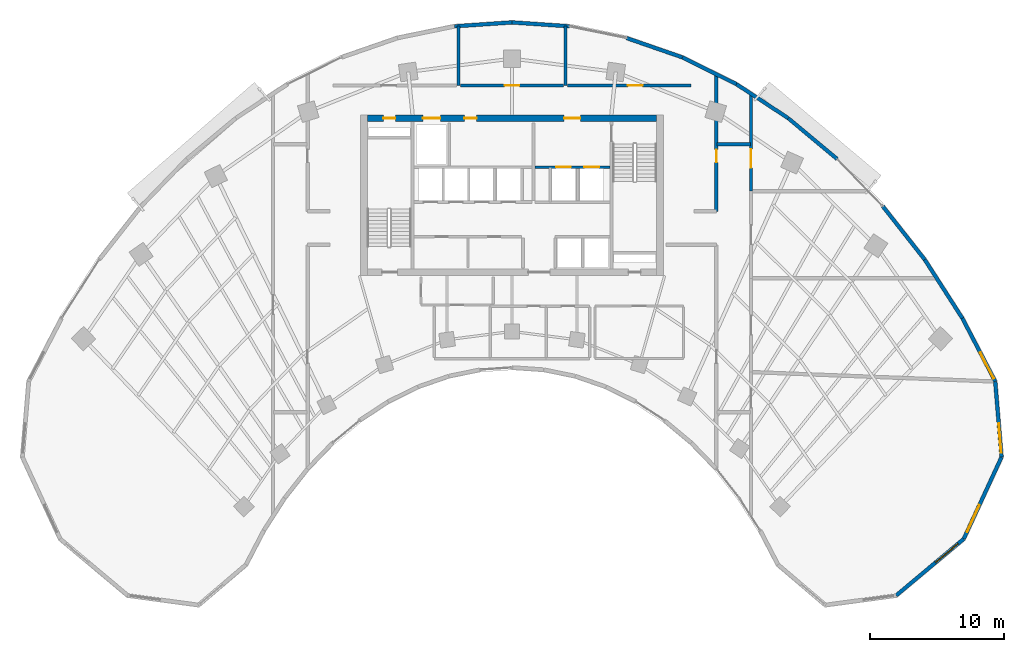
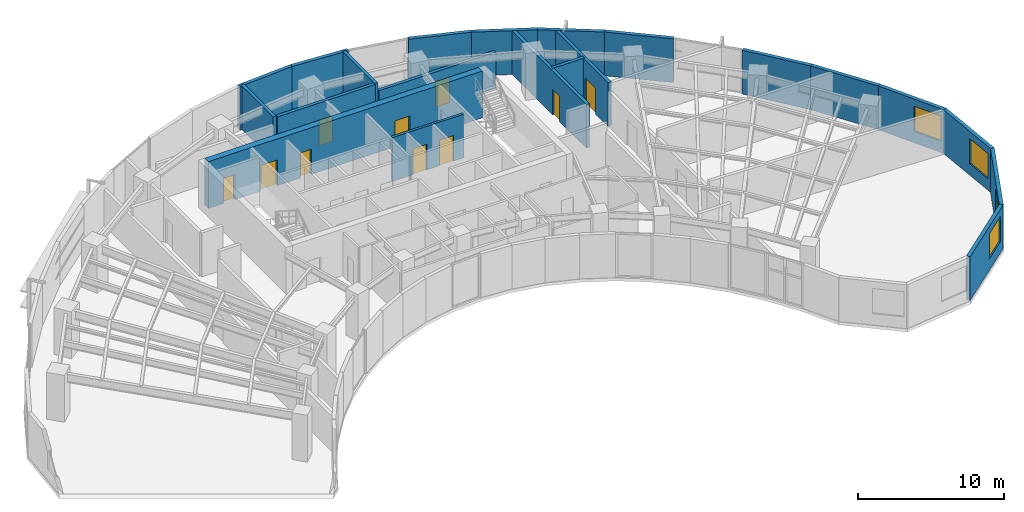
# One storey, part 11 of 14: 21 walls, 10 doors, 4 windows, 14 openings.
"""IFC4 building model written with IfcOpenShell, lengths in metres."""

from ifc_helpers import new_model, si_unit, direction, frame, frame_2d, origin, place, context, subcontext, project, spatial, rectangle, extrude, source, transform, mapped, material, layer, layer_set, type_object, type_shapes, element, fill, save


model = new_model("IFC4")

# Units and contexts
model_context = context("Model", 3, precision=1e-05, world=origin(), true_north=direction((0.0, 1.0)))
body_context = subcontext(model_context, "Body", "Model", "MODEL_VIEW")
ifc_project = project(units=[si_unit("LENGTHUNIT", "METRE"), si_unit("AREAUNIT", "SQUARE_METRE"), si_unit("VOLUMEUNIT", "CUBIC_METRE"), si_unit("PLANEANGLEUNIT", "RADIAN"), si_unit("MASSUNIT", "GRAM", prefix="KILO")], contexts=[model_context])

# Site, building, storey
site_placement = place(None, origin())
site = spatial("IfcSite", under=ifc_project, at=site_placement, CompositionType="ELEMENT")
building_placement = place(site_placement, origin())
building = spatial("IfcBuilding", under=site, at=building_placement, Name="Breltana Convention Tower", CompositionType="ELEMENT")
storey_placement = place(building_placement, frame((0.0, 0.0, 123.300048828125)))
storey = spatial("IfcBuildingStorey", under=building, at=storey_placement, Name="L29", CompositionType="ELEMENT", Elevation=123.300048828125)

# Wall, openings, doors
ifc_material_1 = material(Name="Concrete C60/75", Category="concrete")
ifc_layer_1 = layer(ifc_material_1, 0.5, Name="Concrete C60/75")
ifc_layer_set_1 = layer_set([ifc_layer_1], Name="Concrete C60/75")
wall_type_1 = type_object("IfcWallType", Name="SW-CORE-500", PredefinedType="SHEAR", material=ifc_layer_set_1)
shared_shape_1 = source(origin(), body_context, "Body", "SweptSolid", [
    extrude(rectangle(XDim=21.60009765625, YDim=0.5, at=frame_2d((10.800048828125, 0.0))), origin(), (0.0, 0.0, 1.0), 3.89990234375),
])
wall_1_placement = place(storey_placement, frame((37.199951171875, 71.949951171875, 0.0), z_axis=(0.0, 0.0, 1.0), x_axis=(1.0, 0.0, 0.0)))
wall_1 = element("IfcWall", 1, at=wall_1_placement, inside=storey, type_object=wall_type_1, Name="L29 North Core Shear Wall", PredefinedType="SHEAR", context=body_context, shape_type="MappedRepresentation", body=[
    mapped(shared_shape_1, transform((0.0, 0.0, 0.0), scale=1.0)),
])
opening_1_placement = place(wall_1_placement, frame((1.199951171875, 0.0, 0.0)))
opening_1 = element("IfcOpeningElement", 2, at=opening_1_placement, cuts=wall_1, Name="Opening D-18", PredefinedType="OPENING", context=body_context, shape_type="SweptSolid", body=[
    extrude(rectangle(XDim=0.89990234375, YDim=2.10009765625, at=frame_2d((0.449951171875, 1.050048828125))), frame((0.0, 0.260009765625, 0.0), z_axis=(0.0, -1.0, 0.0), x_axis=(1.0, 0.0, 0.0)), (0.0, 0.0, 1.0), 0.52001953125),
])
opening_2_placement = place(wall_1_placement, frame((14.699951171875, 0.0, 0.0)))
opening_2 = element("IfcOpeningElement", 3, at=opening_2_placement, cuts=wall_1, Name="Opening D-09", PredefinedType="OPENING", context=body_context, shape_type="SweptSolid", body=[
    extrude(rectangle(XDim=1.199951171875, YDim=2.14990234375, at=frame_2d((0.60009765625, 1.074951171875))), frame((0.0, 0.260009765625, 0.0), z_axis=(0.0, -1.0, 0.0), x_axis=(1.0, 0.0, 0.0)), (0.0, 0.0, 1.0), 0.52001953125),
])
opening_3_placement = place(wall_1_placement, frame((4.14990234375, 0.0, 0.0)))
opening_3 = element("IfcOpeningElement", 4, at=opening_3_placement, cuts=wall_1, Name="Opening LD-01", PredefinedType="OPENING", context=body_context, shape_type="SweptSolid", body=[
    extrude(rectangle(XDim=1.300048828125, YDim=2.14990234375, at=frame_2d((0.64990234375, 1.074951171875))), frame((0.0, 0.260009765625, 0.0), z_axis=(0.0, -1.0, 0.0), x_axis=(1.0, 0.0, 0.0)), (0.0, 0.0, 1.0), 0.52001953125),
])
opening_4_placement = place(wall_1_placement, frame((7.25, 0.0, 0.0)))
opening_4 = element("IfcOpeningElement", 5, at=opening_4_placement, cuts=wall_1, Name="Opening D-18", PredefinedType="OPENING", context=body_context, shape_type="SweptSolid", body=[
    extrude(rectangle(XDim=0.89990234375, YDim=2.10009765625, at=frame_2d((0.449951171875, 1.050048828125))), frame((0.0, 0.260009765625, 0.0), z_axis=(0.0, -1.0, 0.0), x_axis=(1.0, 0.0, 0.0)), (0.0, 0.0, 1.0), 0.52001953125),
])
ifc_material_2 = material(Name="Steel Riser Fire Door", Category="steel")
door_type_1 = type_object("IfcDoorType", Name="DR-FD60-900", OperationType="NOTDEFINED", PredefinedType="DOOR", material=ifc_material_2)
shared_shape_2 = source(origin(), body_context, "Body", "SweptSolid", [
    extrude(rectangle(XDim=0.89990234375, YDim=2.10009765625, at=frame_2d((0.449951171875, 1.050048828125))), frame((0.0, 0.02490234375, 0.0), z_axis=(0.0, -1.0, 0.0), x_axis=(1.0, 0.0, 0.0)), (0.0, 0.0, 1.0), 0.050048828125),
])
type_shapes(door_type_1, [shared_shape_2])
door_1_placement = place(opening_1_placement, origin())
door_1 = element("IfcDoor", 6, at=door_1_placement, inside=storey, type_object=door_type_1, Name="L29 Core Riser Access Door D-L29-RS1", OperationType="SINGLE_SWING_LEFT", OverallHeight=2.10009765625, OverallWidth=0.89990234375, PredefinedType="DOOR", context=body_context, shape_type="MappedRepresentation", body=[
    mapped(shared_shape_2, transform((0.0, 0.0, 0.0), scale=1.0)),
])
fill(opening_1, door_1)
door_2_placement = place(opening_4_placement, origin())
door_2 = element("IfcDoor", 7, at=door_2_placement, inside=storey, type_object=door_type_1, Name="L29 interior door D-L29-CRA1", OperationType="SINGLE_SWING_LEFT", OverallHeight=2.10009765625, OverallWidth=0.89990234375, PredefinedType="DOOR", context=body_context, shape_type="MappedRepresentation", body=[
    mapped(shared_shape_2, transform((0.0, 0.0, 0.0), scale=1.0)),
])
fill(opening_4, door_2)
ifc_material_3 = material(Name="Steel Fire Lobby Door", Category="steel")
door_type_2 = type_object("IfcDoorType", Name="DR-FD120-1200", OperationType="NOTDEFINED", PredefinedType="DOOR", material=ifc_material_3)
shared_shape_3 = source(origin(), body_context, "Body", "SweptSolid", [
    extrude(rectangle(XDim=1.199951171875, YDim=2.14990234375, at=frame_2d((0.60009765625, 1.074951171875))), frame((0.0, 0.02490234375, 0.0), z_axis=(0.0, -1.0, 0.0), x_axis=(1.0, 0.0, 0.0)), (0.0, 0.0, 1.0), 0.050048828125),
])
type_shapes(door_type_2, [shared_shape_3])
door_3_placement = place(opening_2_placement, origin())
door_3 = element("IfcDoor", 8, at=door_3_placement, inside=storey, type_object=door_type_2, Name="L29 interior door D-L29-FFL-N", OperationType="SINGLE_SWING_RIGHT", OverallHeight=2.14990234375, OverallWidth=1.199951171875, PredefinedType="DOOR", context=body_context, shape_type="MappedRepresentation", body=[
    mapped(shared_shape_3, transform((0.0, 0.0, 0.0), scale=1.0)),
])
fill(opening_2, door_3)
ifc_material_4 = material(Name="Stainless Steel Brushed", Category="steel")
door_type_3 = type_object("IfcDoorType", Name="DR-LD-SRV-1300", OperationType="DOUBLE_DOOR_SLIDING", PredefinedType="DOOR", material=ifc_material_4)
shared_shape_4 = source(origin(), body_context, "Body", "SweptSolid", [
    extrude(rectangle(XDim=1.300048828125, YDim=2.14990234375, at=frame_2d((0.64990234375, 1.074951171875))), frame((0.0, 0.02490234375, 0.0), z_axis=(0.0, -1.0, 0.0), x_axis=(1.0, 0.0, 0.0)), (0.0, 0.0, 1.0), 0.050048828125),
])
type_shapes(door_type_3, [shared_shape_4])
door_4_placement = place(opening_3_placement, origin())
door_4 = element("IfcDoor", 9, at=door_4_placement, inside=storey, type_object=door_type_3, Name="L29 Lift Landing Door D-L29-LD-SV1", OperationType="DOUBLE_DOOR_SLIDING", OverallHeight=2.14990234375, OverallWidth=1.300048828125, PredefinedType="DOOR", context=body_context, shape_type="MappedRepresentation", body=[
    mapped(shared_shape_4, transform((0.0, 0.0, 0.0), scale=1.0)),
])
fill(opening_3, door_4)

# Wall, opening, window
ifc_material_5 = material(Name="Limestone Buff Insulated Wall", Category="masonry")
ifc_layer_2 = layer(ifc_material_5, 0.280029296875, Name="Limestone Buff Insulated Wall")
ifc_layer_set_2 = layer_set([ifc_layer_2], Name="Limestone Buff Insulated Wall")
wall_type_2 = type_object("IfcWallType", Name="WL-EXT-NOSE-280", PredefinedType="SOLIDWALL", material=ifc_layer_set_2)
shared_shape_5 = source(origin(), body_context, "Body", "SweptSolid", [
    extrude(rectangle(XDim=5.673583984375, YDim=0.280029296875, at=frame_2d((2.8369140625, 0.0))), origin(), (0.0, 0.0, 1.0), 3.64990234375),
])
wall_2_placement = place(storey_placement, frame((84.07763671875, 52.305419921875, 0.0), z_axis=(0.0, 0.0, 1.0), x_axis=(0.083309007867, -0.996523762491, 0.0)))
wall_2 = element("IfcWall", 10, at=wall_2_placement, inside=storey, type_object=wall_type_2, Name="L29 curved limestone nose wall E1", PredefinedType="SOLIDWALL", context=body_context, shape_type="MappedRepresentation", body=[
    mapped(shared_shape_5, transform((0.0, 0.0, 0.0), scale=1.0)),
])
opening_5_placement = place(wall_2_placement, frame((3.155029296875, 0.0, 0.949951171875)))
opening_5 = element("IfcOpeningElement", 11, at=opening_5_placement, cuts=wall_2, Name="Opening W-03", PredefinedType="OPENING", context=body_context, shape_type="SweptSolid", body=[
    extrude(rectangle(XDim=2.199951171875, YDim=2.10009765625, at=frame_2d((1.10009765625, 1.050048828125))), frame((0.0, 0.14990234375, 0.0), z_axis=(0.0, -1.0, 0.0), x_axis=(1.0, 0.0, 0.0)), (0.0, 0.0, 1.0), 0.300048828125),
])
ifc_material_6 = material(Name="Glass Low-E Insulated Window", Category="glass")
window_type = type_object("IfcWindowType", Name="WN-NOSE-2200X2100", PartitioningType="TRIPLE_PANEL_VERTICAL", PredefinedType="WINDOW", material=ifc_material_6)
shared_shape_6 = source(origin(), body_context, "Body", "SweptSolid", [
    extrude(rectangle(XDim=2.199951171875, YDim=2.10009765625, at=frame_2d((1.10009765625, 1.050048828125))), frame((0.0, 0.030029296875, 0.0), z_axis=(0.0, -1.0, 0.0), x_axis=(1.0, 0.0, 0.0)), (0.0, 0.0, 1.0), 0.06005859375),
])
type_shapes(window_type, [shared_shape_6])
window_1_placement = place(opening_5_placement, origin())
window_1 = element("IfcWindow", 12, at=window_1_placement, inside=storey, type_object=window_type, Name="L29 nose window E1", OverallHeight=2.10009765625, OverallWidth=2.199951171875, PartitioningType="TRIPLE_PANEL_VERTICAL", PredefinedType="WINDOW", context=body_context, shape_type="MappedRepresentation", body=[
    mapped(shared_shape_6, transform((0.0, 0.0, 0.0), scale=1.0)),
])
fill(opening_5, window_1)

shared_shape_7 = source(origin(), body_context, "Body", "SweptSolid", [
    extrude(rectangle(XDim=6.731689453125, YDim=0.280029296875, at=frame_2d((3.36572265625, 0.0))), origin(), (0.0, 0.0, 1.0), 3.64990234375),
])
wall_3_placement = place(storey_placement, frame((84.55029296875, 46.651611328125, 0.0), z_axis=(0.0, 0.0, 1.0), x_axis=(-0.419644552709, -0.907688520023, 0.0)))
wall_3 = element("IfcWall", 13, at=wall_3_placement, inside=storey, type_object=wall_type_2, Name="L29 curved limestone nose wall E2", PredefinedType="SOLIDWALL", context=body_context, shape_type="MappedRepresentation", body=[
    mapped(shared_shape_7, transform((0.0, 0.0, 0.0), scale=1.0)),
])
opening_6_placement = place(wall_3_placement, frame((3.948974609375, 0.0, 0.949951171875)))
opening_6 = element("IfcOpeningElement", 14, at=opening_6_placement, cuts=wall_3, Name="Opening W-03", PredefinedType="OPENING", context=body_context, shape_type="SweptSolid", body=[
    extrude(rectangle(XDim=2.199951171875, YDim=2.10009765625, at=frame_2d((1.10009765625, 1.050048828125))), frame((0.0, 0.14990234375, 0.0), z_axis=(0.0, -1.0, 0.0), x_axis=(1.0, 0.0, 0.0)), (0.0, 0.0, 1.0), 0.300048828125),
])
window_2_placement = place(opening_6_placement, origin())
window_2 = element("IfcWindow", 15, at=window_2_placement, inside=storey, type_object=window_type, Name="L29 nose window E2", OverallHeight=2.10009765625, OverallWidth=2.199951171875, PartitioningType="TRIPLE_PANEL_VERTICAL", PredefinedType="WINDOW", context=body_context, shape_type="MappedRepresentation", body=[
    mapped(shared_shape_6, transform((0.0, 0.0, 0.0), scale=1.0)),
])
fill(opening_6, window_2)

shared_shape_8 = source(origin(), body_context, "Body", "SweptSolid", [
    extrude(rectangle(XDim=6.572998046875, YDim=0.280029296875, at=frame_2d((3.28662109375, 0.0))), origin(), (0.0, 0.0, 1.0), 3.64990234375),
])
wall_4_placement = place(storey_placement, frame((81.725341796875, 40.541259765625, 0.0), z_axis=(0.0, 0.0, 1.0), x_axis=(-0.766715154163, -0.641987439423, 0.0)))
wall_4 = element("IfcWall", 16, at=wall_4_placement, inside=storey, type_object=wall_type_2, Name="L29 curved limestone nose wall E3", PredefinedType="SOLIDWALL", context=body_context, shape_type="MappedRepresentation", body=[
    mapped(shared_shape_8, transform((0.0, 0.0, 0.0), scale=1.0)),
])
opening_7_placement = place(wall_4_placement, frame((0.543212890625, 0.0, 0.949951171875)))
opening_7 = element("IfcOpeningElement", 17, at=opening_7_placement, cuts=wall_4, Name="Opening W-03", PredefinedType="OPENING", context=body_context, shape_type="SweptSolid", body=[
    extrude(rectangle(XDim=2.199951171875, YDim=2.10009765625, at=frame_2d((1.10009765625, 1.050048828125))), frame((0.0, 0.14990234375, 0.0), z_axis=(0.0, -1.0, 0.0), x_axis=(1.0, 0.0, 0.0)), (0.0, 0.0, 1.0), 0.300048828125),
])
window_3_placement = place(opening_7_placement, origin())
window_3 = element("IfcWindow", 18, at=window_3_placement, inside=storey, type_object=window_type, Name="L29 nose window E3", OverallHeight=2.10009765625, OverallWidth=2.199951171875, PartitioningType="TRIPLE_PANEL_VERTICAL", PredefinedType="WINDOW", context=body_context, shape_type="MappedRepresentation", body=[
    mapped(shared_shape_6, transform((0.0, 0.0, 0.0), scale=1.0)),
])
fill(opening_7, window_3)

shared_shape_9 = source(origin(), body_context, "Body", "SweptSolid", [
    extrude(rectangle(XDim=5.315185546875, YDim=0.280029296875, at=frame_2d((2.65771484375, 0.0))), origin(), (0.0, 0.0, 1.0), 3.64990234375),
])
wall_5_placement = place(storey_placement, frame((81.623291015625, 57.02001953125, 0.0), z_axis=(0.0, 0.0, 1.0), x_axis=(0.461760527822, -0.887004630735, 0.0)))
wall_5 = element("IfcWall", 19, at=wall_5_placement, inside=storey, type_object=wall_type_2, Name="L29 curved limestone nose wall E34", PredefinedType="SOLIDWALL", context=body_context, shape_type="MappedRepresentation", body=[
    mapped(shared_shape_9, transform((0.0, 0.0, 0.0), scale=1.0)),
])
opening_8_placement = place(wall_5_placement, frame((2.886474609375, 0.0, 0.949951171875)))
opening_8 = element("IfcOpeningElement", 20, at=opening_8_placement, cuts=wall_5, Name="Opening W-03", PredefinedType="OPENING", context=body_context, shape_type="SweptSolid", body=[
    extrude(rectangle(XDim=2.199951171875, YDim=2.10009765625, at=frame_2d((1.10009765625, 1.050048828125))), frame((0.0, 0.14990234375, 0.0), z_axis=(0.0, -1.0, 0.0), x_axis=(1.0, 0.0, 0.0)), (0.0, 0.0, 1.0), 0.300048828125),
])
window_4_placement = place(opening_8_placement, origin())
window_4 = element("IfcWindow", 21, at=window_4_placement, inside=storey, type_object=window_type, Name="L29 nose window E34", OverallHeight=2.10009765625, OverallWidth=2.199951171875, PartitioningType="TRIPLE_PANEL_VERTICAL", PredefinedType="WINDOW", context=body_context, shape_type="MappedRepresentation", body=[
    mapped(shared_shape_6, transform((0.0, 0.0, 0.0), scale=1.0)),
])
fill(opening_8, window_4)

# Walls
shared_shape_10 = source(origin(), body_context, "Body", "SweptSolid", [
    extrude(rectangle(XDim=5.05810546875, YDim=0.280029296875, at=frame_2d((2.529052734375, 0.0))), origin(), (0.0, 0.0, 1.0), 3.64990234375),
])
wall_6_placement = place(storey_placement, frame((75.684814453125, 65.37646484375, 0.0), z_axis=(0.0, 0.0, 1.0), x_axis=(0.618145507434, -0.786063694391, 0.0)))
element("IfcWall", 22, at=wall_6_placement, inside=storey, type_object=wall_type_2, Name="L29 curved limestone nose wall E32", PredefinedType="SOLIDWALL", context=body_context, shape_type="MappedRepresentation", body=[
    mapped(shared_shape_10, transform((0.0, 0.0, 0.0), scale=1.0)),
])
shared_shape_11 = source(origin(), body_context, "Body", "SweptSolid", [
    extrude(rectangle(XDim=4.76220703125, YDim=0.280029296875, at=frame_2d((2.381103515625, 0.0))), origin(), (0.0, 0.0, 1.0), 3.64990234375),
])
wall_7_placement = place(storey_placement, frame((68.6181640625, 71.957763671875, 0.0), z_axis=(0.0, 0.0, 1.0), x_axis=(0.767952279762, -0.640507061638, 0.0)))
element("IfcWall", 23, at=wall_7_placement, inside=storey, type_object=wall_type_2, Name="L29 curved limestone nose wall E31", PredefinedType="SOLIDWALL", context=body_context, shape_type="MappedRepresentation", body=[
    mapped(shared_shape_11, transform((0.0, 0.0, 0.0), scale=1.0)),
])
shared_shape_12 = source(origin(), body_context, "Body", "SweptSolid", [
    extrude(rectangle(XDim=4.625732421875, YDim=0.280029296875, at=frame_2d((2.31298828125, 0.0))), origin(), (0.0, 0.0, 1.0), 3.64990234375),
])
wall_8_placement = place(storey_placement, frame((64.751220703125, 74.496337890625, 0.0), z_axis=(0.0, 0.0, 1.0), x_axis=(0.83595938331, -0.548791316855, 0.0)))
element("IfcWall", 24, at=wall_8_placement, inside=storey, type_object=wall_type_2, Name="L29 curved limestone nose wall E30", PredefinedType="SOLIDWALL", context=body_context, shape_type="MappedRepresentation", body=[
    mapped(shared_shape_12, transform((0.0, 0.0, 0.0), scale=1.0)),
])
shared_shape_13 = source(origin(), body_context, "Body", "SweptSolid", [
    extrude(rectangle(XDim=4.408935546875, YDim=0.280029296875, at=frame_2d((2.20458984375, 0.0))), origin(), (0.0, 0.0, 1.0), 3.64990234375),
])
wall_9_placement = place(storey_placement, frame((56.54833984375, 77.94091796875, 0.0), z_axis=(0.0, 0.0, 1.0), x_axis=(0.944879374121, -0.327418643881, 0.0)))
element("IfcWall", 25, at=wall_9_placement, inside=storey, type_object=wall_type_2, Name="L29 curved limestone nose wall E28", PredefinedType="SOLIDWALL", context=body_context, shape_type="MappedRepresentation", body=[
    mapped(shared_shape_13, transform((0.0, 0.0, 0.0), scale=1.0)),
])
shared_shape_14 = source(origin(), body_context, "Body", "SweptSolid", [
    extrude(rectangle(XDim=4.3056640625, YDim=0.280029296875, at=frame_2d((2.15283203125, 0.0))), origin(), (0.0, 0.0, 1.0), 3.64990234375),
])
for number, where, z_axis, x_axis, name in (
    (26, (43.7041015625, 78.81298828125, 0.0), (0.0, 0.0, 1.0), (0.997705679258, 0.067700646797, 0.0), "L29 curved limestone nose wall E26"),
    (27, (48.0, 79.1044921875, 0.0), (0.0, 0.0, 1.0), (0.997705679258, -0.067700646797, 0.0), "L29 curved limestone nose wall E27"),
):
    element("IfcWall", number, at=place(storey_placement, frame(where, z_axis=z_axis, x_axis=x_axis)), inside=storey, type_object=wall_type_2, Name=name, PredefinedType="SOLIDWALL", context=body_context, shape_type="MappedRepresentation", body=[
        mapped(shared_shape_14, transform((0.0, 0.0, 0.0), scale=1.0)),
    ])
shared_shape_15 = source(origin(), body_context, "Body", "SweptSolid", [
    extrude(rectangle(XDim=4.505615234375, YDim=0.280029296875, at=frame_2d((2.2529296875, 0.0))), origin(), (0.0, 0.0, 1.0), 3.64990234375),
])
wall_10_placement = place(storey_placement, frame((60.71435546875, 76.497314453125, 0.0), z_axis=(0.0, 0.0, 1.0), x_axis=(0.89597155075, -0.444111450254, 0.0)))
element("IfcWall", 28, at=wall_10_placement, inside=storey, type_object=wall_type_2, Name="L29 curved limestone nose wall E29", PredefinedType="SOLIDWALL", context=body_context, shape_type="MappedRepresentation", body=[
    mapped(shared_shape_15, transform((0.0, 0.0, 0.0), scale=1.0)),
])
shared_shape_16 = source(origin(), body_context, "Body", "SweptSolid", [
    extrude(rectangle(XDim=5.205078125, YDim=0.280029296875, at=frame_2d((2.6025390625, 0.0))), origin(), (0.0, 0.0, 1.0), 3.64990234375),
])
wall_11_placement = place(storey_placement, frame((78.8115234375, 61.400390625, 0.0), z_axis=(0.0, 0.0, 1.0), x_axis=(0.540188528895, -0.8415440293, 0.0)))
element("IfcWall", 29, at=wall_11_placement, inside=storey, type_object=wall_type_2, Name="L29 curved limestone nose wall E33", PredefinedType="SOLIDWALL", context=body_context, shape_type="MappedRepresentation", body=[
    mapped(shared_shape_16, transform((0.0, 0.0, 0.0), scale=1.0)),
])

# Wall, openings, doors
ifc_material_7 = material(Name="Autoclaved Aerated Concrete Block", Category="concrete")
ifc_layer_3 = layer(ifc_material_7, 0.199951171875, Name="Autoclaved Aerated Concrete Block")
ifc_layer_set_3 = layer_set([ifc_layer_3], Name="Autoclaved Aerated Concrete Block")
wall_type_3 = type_object("IfcWallType", Name="WL-SHAFT-200", PredefinedType="SOLIDWALL", material=ifc_layer_set_3)
shared_shape_17 = source(origin(), body_context, "Body", "SweptSolid", [
    extrude(rectangle(XDim=5.6201171875, YDim=0.199951171875, at=frame_2d((2.81005859375, 0.0))), origin(), (0.0, 0.0, 1.0), 3.64990234375),
])
wall_12_placement = place(storey_placement, frame((49.699951171875, 68.300048828125, 0.0), z_axis=(0.0, 0.0, 1.0), x_axis=(1.0, 0.0, 0.0)))
wall_12 = element("IfcWall", 30, at=wall_12_placement, inside=storey, type_object=wall_type_3, Name="L29 interior partition W-L29-FFL-S", PredefinedType="SOLIDWALL", context=body_context, shape_type="MappedRepresentation", body=[
    mapped(shared_shape_17, transform((0.0, 0.0, 0.0), scale=1.0)),
])
opening_9_placement = place(wall_12_placement, frame((1.60009765625, 0.0, 0.0)))
opening_9 = element("IfcOpeningElement", 31, at=opening_9_placement, cuts=wall_12, Name="Opening LD-03", PredefinedType="OPENING", context=body_context, shape_type="SweptSolid", body=[
    extrude(rectangle(XDim=1.10009765625, YDim=2.14990234375, at=frame_2d((0.550048828125, 1.074951171875))), frame((0.0, 0.10986328125, 0.0), z_axis=(0.0, -1.0, 0.0), x_axis=(1.0, 0.0, 0.0)), (0.0, 0.0, 1.0), 0.219970703125),
])
opening_10_placement = place(wall_12_placement, frame((3.699951171875, 0.0, 0.0)))
opening_10 = element("IfcOpeningElement", 32, at=opening_10_placement, cuts=wall_12, Name="Opening LD-03", PredefinedType="OPENING", context=body_context, shape_type="SweptSolid", body=[
    extrude(rectangle(XDim=1.10009765625, YDim=2.14990234375, at=frame_2d((0.550048828125, 1.074951171875))), frame((0.0, 0.10986328125, 0.0), z_axis=(0.0, -1.0, 0.0), x_axis=(1.0, 0.0, 0.0)), (0.0, 0.0, 1.0), 0.219970703125),
])
door_type_4 = type_object("IfcDoorType", Name="DR-LD-FF-1100", OperationType="DOUBLE_DOOR_SLIDING", PredefinedType="DOOR", material=ifc_material_4)
shared_shape_18 = source(origin(), body_context, "Body", "SweptSolid", [
    extrude(rectangle(XDim=1.10009765625, YDim=2.14990234375, at=frame_2d((0.550048828125, 1.074951171875))), frame((0.0, 0.02490234375, 0.0), z_axis=(0.0, -1.0, 0.0), x_axis=(1.0, 0.0, 0.0)), (0.0, 0.0, 1.0), 0.050048828125),
])
type_shapes(door_type_4, [shared_shape_18])
door_5_placement = place(opening_9_placement, origin())
door_5 = element("IfcDoor", 33, at=door_5_placement, inside=storey, type_object=door_type_4, Name="L29 Lift Landing Door D-L29-LD-FL1", OperationType="DOUBLE_DOOR_SLIDING", OverallHeight=2.14990234375, OverallWidth=1.10009765625, PredefinedType="DOOR", context=body_context, shape_type="MappedRepresentation", body=[
    mapped(shared_shape_18, transform((0.0, 0.0, 0.0), scale=1.0)),
])
fill(opening_9, door_5)
door_6_placement = place(opening_10_placement, origin())
door_6 = element("IfcDoor", 34, at=door_6_placement, inside=storey, type_object=door_type_4, Name="L29 Lift Landing Door D-L29-LD-FL2", OperationType="DOUBLE_DOOR_SLIDING", OverallHeight=2.14990234375, OverallWidth=1.10009765625, PredefinedType="DOOR", context=body_context, shape_type="MappedRepresentation", body=[
    mapped(shared_shape_18, transform((0.0, 0.0, 0.0), scale=1.0)),
])
fill(opening_10, door_6)

# Wall
ifc_material_8 = material(Name="Gypsum Acoustic Double Stud Wall")
ifc_layer_4 = layer(ifc_material_8, 0.25, Name="Gypsum Acoustic Double Stud Wall")
ifc_layer_set_4 = layer_set([ifc_layer_4], Name="Gypsum Acoustic Double Stud Wall")
wall_type_4 = type_object("IfcWallType", Name="WL-ACOUSTIC-250", PredefinedType="PARTITIONING", material=ifc_layer_set_4)
shared_shape_19 = source(origin(), body_context, "Body", "SweptSolid", [
    extrude(rectangle(XDim=2.5, YDim=0.25, at=frame_2d((1.25, 0.0))), origin(), (0.0, 0.0, 1.0), 3.64990234375),
])
wall_13_placement = place(storey_placement, frame((63.300048828125, 70.0, 0.0), z_axis=(0.0, 0.0, 1.0), x_axis=(1.0, 0.0, 0.0)))
element("IfcWall", 35, at=wall_13_placement, inside=storey, type_object=wall_type_4, Name="L29 interior partition W-L29-CORNE-N", PredefinedType="PARTITIONING", context=body_context, shape_type="MappedRepresentation", body=[
    mapped(shared_shape_19, transform((0.0, 0.0, 0.0), scale=1.0)),
])

# Wall, opening, door
shared_shape_20 = source(origin(), body_context, "Body", "SweptSolid", [
    extrude(rectangle(XDim=7.26953125, YDim=0.25, at=frame_2d((3.634765625, 0.0))), origin(), (0.0, 0.0, 1.0), 3.64990234375),
])
wall_14_placement = place(storey_placement, frame((65.840087890625, 66.5, 0.0), z_axis=(0.0, 0.0, 1.0), x_axis=(0.0, 1.0, 0.0)))
wall_14 = element("IfcWall", 36, at=wall_14_placement, inside=storey, type_object=wall_type_4, Name="L29 interior partition W-L29-ZE4-W", PredefinedType="PARTITIONING", context=body_context, shape_type="MappedRepresentation", body=[
    mapped(shared_shape_20, transform((0.0, 0.0, 0.0), scale=1.0)),
])
opening_11_placement = place(wall_14_placement, frame((1.75, 0.0, 0.0)))
opening_11 = element("IfcOpeningElement", 37, at=opening_11_placement, cuts=wall_14, Name="Opening D-05", PredefinedType="OPENING", context=body_context, shape_type="SweptSolid", body=[
    extrude(rectangle(XDim=1.39990234375, YDim=2.14990234375, at=frame_2d((0.699951171875, 1.074951171875))), frame((0.0, 0.135009765625, 0.0), z_axis=(0.0, -1.0, 0.0), x_axis=(1.0, 0.0, 0.0)), (0.0, 0.0, 1.0), 0.27001953125),
])
ifc_material_9 = material(Name="Timber Veneer Glazed Double Door", Category="wood")
door_type_5 = type_object("IfcDoorType", Name="DR-DBL-1400", OperationType="DOUBLE_DOOR_SINGLE_SWING", PredefinedType="DOOR", material=ifc_material_9)
shared_shape_21 = source(origin(), body_context, "Body", "SweptSolid", [
    extrude(rectangle(XDim=1.39990234375, YDim=2.14990234375, at=frame_2d((0.699951171875, 1.074951171875))), frame((0.0, 0.02490234375, 0.0), z_axis=(0.0, -1.0, 0.0), x_axis=(1.0, 0.0, 0.0)), (0.0, 0.0, 1.0), 0.050048828125),
])
type_shapes(door_type_5, [shared_shape_21])
door_7_placement = place(opening_11_placement, origin())
door_7 = element("IfcDoor", 38, at=door_7_placement, inside=storey, type_object=door_type_5, Name="L29 interior door D-L29-ZE4", OperationType="SINGLE_SWING_LEFT", OverallHeight=2.14990234375, OverallWidth=1.39990234375, PredefinedType="DOOR", context=body_context, shape_type="MappedRepresentation", body=[
    mapped(shared_shape_21, transform((0.0, 0.0, 0.0), scale=1.0)),
])
fill(opening_11, door_7)

shared_shape_22 = source(origin(), body_context, "Body", "SweptSolid", [
    extrude(rectangle(XDim=9.2001953125, YDim=0.25, at=frame_2d((4.60009765625, 0.0))), origin(), (0.0, 0.0, 1.0), 3.02197265625),
])
wall_15_placement = place(storey_placement, frame((52.14990234375, 74.39990234375, 0.0), z_axis=(0.0, 0.0, 1.0), x_axis=(1.0, 0.0, 0.0)))
wall_15 = element("IfcWall", 39, at=wall_15_placement, inside=storey, type_object=wall_type_4, Name="L29 interior partition W-L29-ZN3-S", PredefinedType="PARTITIONING", context=body_context, shape_type="MappedRepresentation", body=[
    mapped(shared_shape_22, transform((0.0, 0.0, 0.0), scale=1.0)),
])
opening_12_placement = place(wall_15_placement, frame((4.5, 0.0, 0.0)))
opening_12 = element("IfcOpeningElement", 40, at=opening_12_placement, cuts=wall_15, Name="Opening D-12", PredefinedType="OPENING", context=body_context, shape_type="SweptSolid", body=[
    extrude(rectangle(XDim=1.10009765625, YDim=2.14990234375, at=frame_2d((0.550048828125, 1.074951171875))), frame((0.0, 0.135009765625, 0.0), z_axis=(0.0, -1.0, 0.0), x_axis=(1.0, 0.0, 0.0)), (0.0, 0.0, 1.0), 0.27001953125),
])
ifc_material_10 = material(Name="Timber Oak Acoustic Door", Category="wood")
door_type_6 = type_object("IfcDoorType", Name="DR-INT-1100", OperationType="NOTDEFINED", PredefinedType="DOOR", material=ifc_material_10)
shared_shape_23 = source(origin(), body_context, "Body", "SweptSolid", [
    extrude(rectangle(XDim=1.10009765625, YDim=2.14990234375, at=frame_2d((0.550048828125, 1.074951171875))), frame((0.0, 0.02490234375, 0.0), z_axis=(0.0, -1.0, 0.0), x_axis=(1.0, 0.0, 0.0)), (0.0, 0.0, 1.0), 0.050048828125),
])
type_shapes(door_type_6, [shared_shape_23])
door_8_placement = place(opening_12_placement, origin())
door_8 = element("IfcDoor", 41, at=door_8_placement, inside=storey, type_object=door_type_6, Name="L29 interior door D-L29-ZN3", OperationType="SINGLE_SWING_RIGHT", OverallHeight=2.14990234375, OverallWidth=1.10009765625, PredefinedType="DOOR", context=body_context, shape_type="MappedRepresentation", body=[
    mapped(shared_shape_23, transform((0.0, 0.0, 0.0), scale=1.0)),
])
fill(opening_12, door_8)

# Walls
shared_shape_24 = source(origin(), body_context, "Body", "SweptSolid", [
    extrude(rectangle(XDim=4.423095703125, YDim=0.25, at=frame_2d((2.21142578125, 0.0))), origin(), (0.0, 0.0, 1.0), 3.64990234375),
])
for number, where, z_axis, x_axis, name in (
    (42, (44.0, 74.39990234375, 0.0), (0.0, 0.0, 1.0), (0.0, 1.0, 0.0), "L29 interior partition W-L29-ZN1-E"),
    (43, (52.0, 74.39990234375, 0.0), (0.0, 0.0, 1.0), (0.0, 1.0, 0.0), "L29 interior partition W-L29-ZN2-E"),
):
    element("IfcWall", number, at=place(storey_placement, frame(where, z_axis=z_axis, x_axis=x_axis)), inside=storey, type_object=wall_type_4, Name=name, PredefinedType="PARTITIONING", context=body_context, shape_type="MappedRepresentation", body=[
        mapped(shared_shape_24, transform((0.0, 0.0, 0.0), scale=1.0)),
    ])

# Wall, opening, door
shared_shape_25 = source(origin(), body_context, "Body", "SweptSolid", [
    extrude(rectangle(XDim=7.7001953125, YDim=0.25, at=frame_2d((3.85009765625, 0.0))), origin(), (0.0, 0.0, 1.0), 3.64990234375),
])
wall_16_placement = place(storey_placement, frame((44.14990234375, 74.39990234375, 0.0), z_axis=(0.0, 0.0, 1.0), x_axis=(1.0, 0.0, 0.0)))
wall_16 = element("IfcWall", 44, at=wall_16_placement, inside=storey, type_object=wall_type_4, Name="L29 interior partition W-L29-ZN2-S", PredefinedType="PARTITIONING", context=body_context, shape_type="MappedRepresentation", body=[
    mapped(shared_shape_25, transform((0.0, 0.0, 0.0), scale=1.0)),
])
opening_13_placement = place(wall_16_placement, frame((3.300048828125, 0.0, 0.0)))
opening_13 = element("IfcOpeningElement", 45, at=opening_13_placement, cuts=wall_16, Name="Opening D-12", PredefinedType="OPENING", context=body_context, shape_type="SweptSolid", body=[
    extrude(rectangle(XDim=1.10009765625, YDim=2.14990234375, at=frame_2d((0.550048828125, 1.074951171875))), frame((0.0, 0.135009765625, 0.0), z_axis=(0.0, -1.0, 0.0), x_axis=(1.0, 0.0, 0.0)), (0.0, 0.0, 1.0), 0.27001953125),
])
door_9_placement = place(opening_13_placement, origin())
door_9 = element("IfcDoor", 46, at=door_9_placement, inside=storey, type_object=door_type_6, Name="L29 interior door D-L29-ZN2", OperationType="SINGLE_SWING_LEFT", OverallHeight=2.14990234375, OverallWidth=1.10009765625, PredefinedType="DOOR", context=body_context, shape_type="MappedRepresentation", body=[
    mapped(shared_shape_23, transform((0.0, 0.0, 0.0), scale=1.0)),
])
fill(opening_13, door_9)

shared_shape_26 = source(origin(), body_context, "Body", "SweptSolid", [
    extrude(rectangle(XDim=10.224365234375, YDim=0.25, at=frame_2d((5.1123046875, 0.0))), origin(), (0.0, 0.0, 1.0), 3.64990234375),
])
wall_17_placement = place(storey_placement, frame((63.260009765625, 65.0, 0.0), z_axis=(0.0, 0.0, 1.0), x_axis=(0.0, 1.0, 0.0)))
wall_17 = element("IfcWall", 47, at=wall_17_placement, inside=storey, type_object=wall_type_4, Name="L29 interior partition W-L29-ZME2-D", PredefinedType="PARTITIONING", context=body_context, shape_type="MappedRepresentation", body=[
    mapped(shared_shape_26, transform((0.0, 0.0, 0.0), scale=1.0)),
])
opening_14_placement = place(wall_17_placement, frame((3.64990234375, 0.0, 0.0)))
opening_14 = element("IfcOpeningElement", 48, at=opening_14_placement, cuts=wall_17, Name="Opening D-17", PredefinedType="OPENING", context=body_context, shape_type="SweptSolid", body=[
    extrude(rectangle(XDim=0.949951171875, YDim=2.10009765625, at=frame_2d((0.47509765625, 1.050048828125))), frame((0.0, 0.135009765625, 0.0), z_axis=(0.0, -1.0, 0.0), x_axis=(1.0, 0.0, 0.0)), (0.0, 0.0, 1.0), 0.27001953125),
])
ifc_material_11 = material(Name="Timber Oak Veneer Door", Category="wood")
door_type_7 = type_object("IfcDoorType", Name="DR-INT-950", OperationType="NOTDEFINED", PredefinedType="DOOR", material=ifc_material_11)
shared_shape_27 = source(origin(), body_context, "Body", "SweptSolid", [
    extrude(rectangle(XDim=0.949951171875, YDim=2.10009765625, at=frame_2d((0.47509765625, 1.050048828125))), frame((0.0, 0.02490234375, 0.0), z_axis=(0.0, -1.0, 0.0), x_axis=(1.0, 0.0, 0.0)), (0.0, 0.0, 1.0), 0.050048828125),
])
type_shapes(door_type_7, [shared_shape_27])
door_10_placement = place(opening_14_placement, origin())
door_10 = element("IfcDoor", 49, at=door_10_placement, inside=storey, type_object=door_type_7, Name="L29 interior door D-L29-ZME2", OperationType="SINGLE_SWING_RIGHT", OverallHeight=2.10009765625, OverallWidth=0.949951171875, PredefinedType="DOOR", context=body_context, shape_type="MappedRepresentation", body=[
    mapped(shared_shape_27, transform((0.0, 0.0, 0.0), scale=1.0)),
])
fill(opening_14, door_10)

save(model, "model.ifc")
